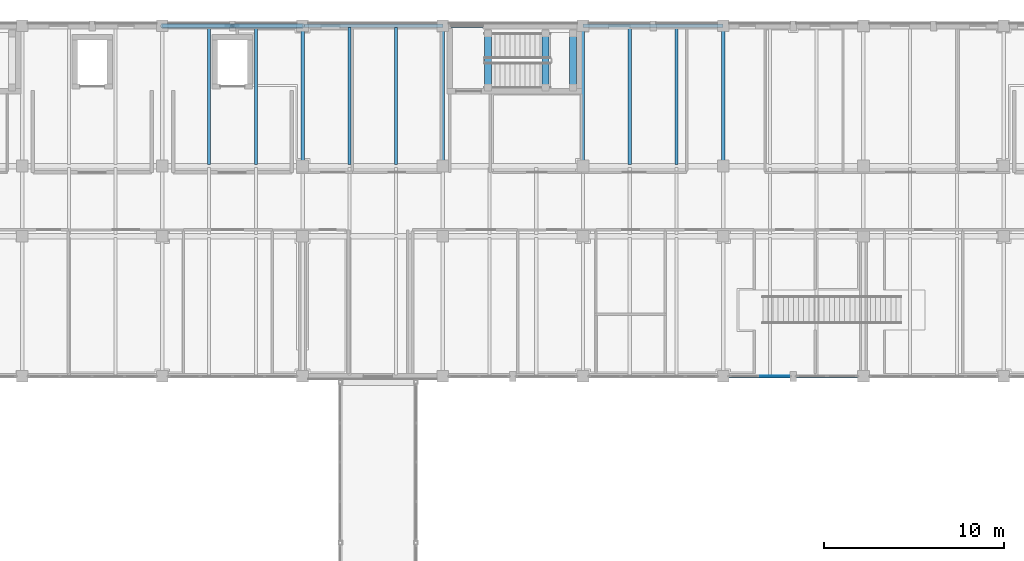
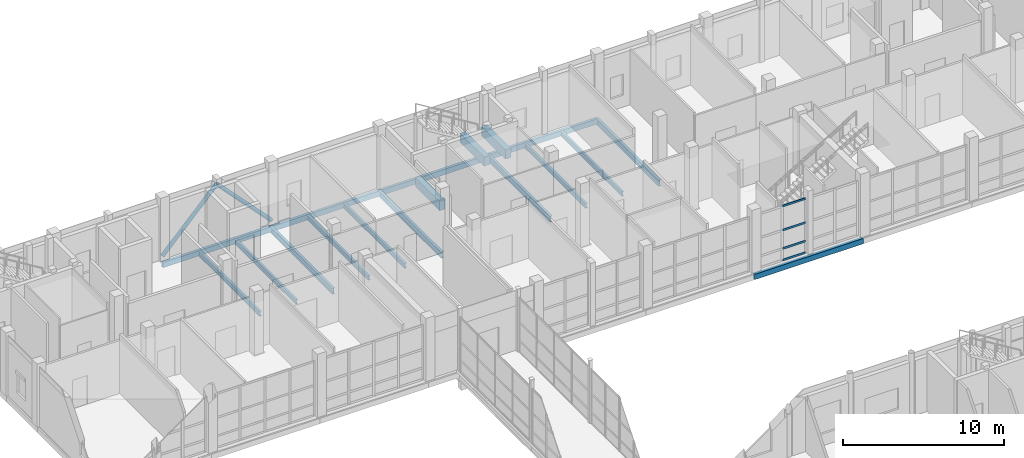
# One storey, part 55 of 131: 18 beams, 6 members, 1 element without a shape of its own.
"""IFC4 building model written with IfcOpenShell, lengths in metres."""

from ifc_helpers import new_model, si_unit, direction, frame, origin, origin_2d, place, context, subcontext, project, spatial, rectangle, hollow_rectangle, hollow_circle, i_section, extrude, material, layer, layer_set, material_profile, profile_set, type_object, element, aggregate, save


model = new_model("IFC4")

# Units and contexts
model_context = context("Model", 3, precision=1e-05, world=origin(), true_north=direction((0.0, 1.0)))
body_context = subcontext(model_context, "Body", "Model", "MODEL_VIEW")
ifc_project = project(units=[si_unit("LENGTHUNIT", "METRE"), si_unit("AREAUNIT", "SQUARE_METRE"), si_unit("VOLUMEUNIT", "CUBIC_METRE"), si_unit("PLANEANGLEUNIT", "RADIAN"), si_unit("MASSUNIT", "GRAM", prefix="KILO")], contexts=[model_context])

# Site, building, storey
site_placement = place(None, origin())
site = spatial("IfcSite", under=ifc_project, at=site_placement, CompositionType="ELEMENT")
building_placement = place(site_placement, origin())
building = spatial("IfcBuilding", under=site, at=building_placement, Name="Celorna Specialist Clinic", CompositionType="ELEMENT")
storey_placement = place(building_placement, origin())
storey = spatial("IfcBuildingStorey", under=building, at=storey_placement, Name="L00", CompositionType="ELEMENT", Elevation=0.0)

# Beams
ifc_material_1 = material(Name="Steel S355", Category="steel")
ifc_material_profile_1 = material_profile(ifc_material_1, i_section(OverallWidth=0.18994140625, OverallDepth=0.449951171875, WebThickness=0.009521484375, FlangeThickness=0.0146484375, at=origin_2d()), Name="IPE 450")
ifc_profile_set_1 = profile_set([ifc_material_profile_1], Name="Steel S355")
beam_type_1 = type_object("IfcBeamType", Name="BM-09", PredefinedType="BEAM", material=ifc_profile_set_1)
for number, where, z_axis, x_axis, name in (
    (1, (70.199951171875, 108.199951171875, -0.52490234375), (0.0, 1.0, 0.0), (-1.0, 0.0, 0.0), "Transverse girder BM-09 #741"),
    (2, (78.0, 108.199951171875, -0.52490234375), (0.0, 1.0, 0.0), (-1.0, 0.0, 0.0), "Transverse girder BM-09 #744"),
    (3, (85.800048828125, 108.199951171875, -0.52490234375), (0.0, 1.0, 0.0), (-1.0, 0.0, 0.0), "Transverse girder BM-09 #747"),
    (4, (93.60009765625, 108.199951171875, -0.52490234375), (0.0, 1.0, 0.0), (-1.0, 0.0, 0.0), "Transverse girder BM-09 #750"),
):
    element("IfcBeam", number, at=place(storey_placement, frame(where, z_axis=z_axis, x_axis=x_axis)), inside=storey, type_object=beam_type_1, Name=name, PredefinedType="BEAM", context=body_context, shape_type="SweptSolid", body=[
        extrude(i_section(OverallWidth=0.18994140625, OverallDepth=0.449951171875, WebThickness=0.009521484375, FlangeThickness=0.0146484375, at=origin_2d()), origin(), (0.0, 0.0, 1.0), 7.800048828125),
    ])
ifc_material_profile_2 = material_profile(ifc_material_1, i_section(OverallWidth=0.169921875, OverallDepth=0.360107421875, WebThickness=0.008056640625, FlangeThickness=0.0126953125, at=origin_2d()), Name="IPE 360")
ifc_profile_set_2 = profile_set([ifc_material_profile_2], Name="Steel S355")
beam_type_2 = type_object("IfcBeamType", Name="BM-11", PredefinedType="JOIST", material=ifc_profile_set_2)
for number, where, z_axis, x_axis, name in (
    (5, (65.0, 108.2880859375, -0.47998046875), (0.0, 1.0, 0.0), (-1.0, 0.0, 0.0), "Secondary floor joist BM-11 #795"),
    (6, (67.60009765625, 108.2880859375, -0.47998046875), (0.0, 1.0, 0.0), (-1.0, 0.0, 0.0), "Secondary floor joist BM-11 #796"),
    (7, (72.800048828125, 108.2880859375, -0.47998046875), (0.0, 1.0, 0.0), (-1.0, 0.0, 0.0), "Secondary floor joist BM-11 #801"),
    (8, (75.39990234375, 108.2880859375, -0.47998046875), (0.0, 1.0, 0.0), (-1.0, 0.0, 0.0), "Secondary floor joist BM-11 #802"),
    (9, (88.39990234375, 108.2880859375, -0.47998046875), (0.0, 1.0, 0.0), (-1.0, 0.0, 0.0), "Secondary floor joist BM-11 #811"),
    (10, (91.0, 108.2880859375, -0.47998046875), (0.0, 1.0, 0.0), (-1.0, 0.0, 0.0), "Secondary floor joist BM-11 #812"),
):
    element("IfcBeam", number, at=place(storey_placement, frame(where, z_axis=z_axis, x_axis=x_axis)), inside=storey, type_object=beam_type_2, Name=name, PredefinedType="JOIST", context=body_context, shape_type="SweptSolid", body=[
        extrude(i_section(OverallWidth=0.169921875, OverallDepth=0.360107421875, WebThickness=0.008056640625, FlangeThickness=0.0126953125, at=origin_2d()), origin(), (0.0, 0.0, 1.0), 7.6240234375),
    ])
ifc_material_profile_3 = material_profile(ifc_material_1, hollow_rectangle(XDim=0.199951171875, YDim=0.39990234375, WallThickness=0.011962890625, at=origin_2d()), Name="RHS 200x400x12")
ifc_profile_set_3 = profile_set([ifc_material_profile_3], Name="Steel S355")
beam_type_3 = type_object("IfcBeamType", Name="BM-15", PredefinedType="SPANDREL", material=ifc_profile_set_3)
beam_placement = place(storey_placement, frame((93.60009765625, 96.5, -0.5), z_axis=(1.0, 0.0, 0.0), x_axis=(0.0, 1.0, 0.0)))
element("IfcBeam", 11, at=beam_placement, inside=storey, type_object=beam_type_3, Name="Spandrel beam BM-15 #672", PredefinedType="SPANDREL", context=body_context, shape_type="SweptSolid", body=[
    extrude(hollow_rectangle(XDim=0.199951171875, YDim=0.39990234375, WallThickness=0.011962890625, at=origin_2d()), origin(), (0.0, 0.0, 1.0), 7.7998046875),
])
for number, where, z_axis, x_axis, name in (
    (12, (62.39990234375, 116.0, -0.5), (1.0, 0.0, 0.0), (0.0, 1.0, 0.0), "Spandrel beam BM-15 #716"),
    (13, (70.199951171875, 116.0, -0.5), (1.0, 0.0, 0.0), (0.0, 1.0, 0.0), "Spandrel beam BM-15 #717"),
    (14, (78.0, 116.0, -0.5), (1.0, 0.0, 0.0), (0.0, 1.0, 0.0), "Spandrel beam BM-15 #718"),
    (15, (85.800048828125, 116.0, -0.5), (1.0, 0.0, 0.0), (0.0, 1.0, 0.0), "Spandrel beam BM-15 #719"),
):
    element("IfcBeam", number, at=place(storey_placement, frame(where, z_axis=z_axis, x_axis=x_axis)), inside=storey, type_object=beam_type_3, Name=name, PredefinedType="SPANDREL", context=body_context, shape_type="SweptSolid", body=[
        extrude(hollow_rectangle(XDim=0.199951171875, YDim=0.39990234375, WallThickness=0.011962890625, at=origin_2d()), origin(), (0.0, 0.0, 1.0), 7.800048828125),
    ])
ifc_material_2 = material(Name="Concrete C35/45", Category="concrete")
ifc_material_profile_4 = material_profile(ifc_material_2, rectangle(XDim=0.39990234375, YDim=0.699951171875, at=origin_2d()), Name="RC 400x700")
ifc_profile_set_4 = profile_set([ifc_material_profile_4], Name="Concrete C35/45")
beam_type_4 = type_object("IfcBeamType", Name="BM-19", PredefinedType="BEAM", material=ifc_profile_set_4)
for number, where, z_axis, x_axis, name in (
    (16, (80.52001953125, 112.570068359375, -0.27490234375), (0.0, 1.0, 0.0), (-1.0, 0.0, 0.0), "Stair ST-02 floor landing trimmer beam L00"),
    (17, (83.719970703125, 112.570068359375, 1.97509765625), (0.0, 1.0, 0.0), (-1.0, 0.0, 0.0), "Stair ST-02 half-landing beam L00"),
    (18, (85.239990234375, 112.570068359375, 1.97509765625), (0.0, 1.0, 0.0), (-1.0, 0.0, 0.0), "Stair ST-02 half-landing beam L00"),
):
    element("IfcBeam", number, at=place(storey_placement, frame(where, z_axis=z_axis, x_axis=x_axis)), inside=storey, type_object=beam_type_4, Name=name, PredefinedType="BEAM", context=body_context, shape_type="SweptSolid", body=[
        extrude(rectangle(XDim=0.39990234375, YDim=0.699951171875, at=origin_2d()), origin(), (0.0, 0.0, 1.0), 3.0),
    ])

# Members
ifc_material_profile_5 = material_profile(ifc_material_1, hollow_circle(Radius=0.136474609375, WallThickness=0.012451171875, at=origin_2d()), Name="CHS 273x12.5")
ifc_profile_set_5 = profile_set([ifc_material_profile_5], Name="Steel S355")
member_type_1 = type_object("IfcMemberType", Name="MB-06", PredefinedType="BRACE", material=ifc_profile_set_5)
for number, where, z_axis, x_axis, name in (
    (19, (62.39990234375, 116.0, 0.14990234375), (0.689218737868, 0.0, 0.724553332317), (0.0, 1.0, 0.0), "Lateral chevron brace WP-113-WP-114"),
    (20, (70.199951171875, 116.0, 0.14990234375), (-0.689196087446, 0.0, 0.724574877462), (0.0, -1.0, 0.0), "Lateral chevron brace WP-115-WP-114"),
):
    element("IfcMember", number, at=place(storey_placement, frame(where, z_axis=z_axis, x_axis=x_axis)), inside=storey, type_object=member_type_1, Name=name, PredefinedType="BRACE", context=body_context, shape_type="SweptSolid", body=[
        extrude(hollow_circle(Radius=0.136474609375, WallThickness=0.012451171875, at=origin_2d()), origin(), (0.0, 0.0, 1.0), 5.65869140625),
    ])

# Curtain wall, members
ifc_material_3 = material(Name="Thermally broken aluminium and solar-control glass curtain wall", Category="aluminium")
ifc_layer = layer(ifc_material_3, 0.159912109375, Name="Thermally broken aluminium and solar-control glass curtain wall")
ifc_layer_set = layer_set([ifc_layer], Name="Thermally broken aluminium and solar-control glass curtain wall")
curtain_wall_type = type_object("IfcCurtainWallType", Name="CW-46", PredefinedType="NOTDEFINED", material=ifc_layer_set)
curtain_wall_placement = place(storey_placement, origin())
curtain_wall = element("IfcCurtainWall", 21, at=curtain_wall_placement, inside=storey, type_object=curtain_wall_type, Name="Curtain wall CW-46 #94", PredefinedType="NOTDEFINED")
ifc_material_4 = material(Name="Anodized aluminium transom", Category="aluminium")
ifc_material_profile_6 = material_profile(ifc_material_4, rectangle(XDim=0.050048828125, YDim=0.14990234375, at=origin_2d()), Name="ALU TRANSOM 50x150")
ifc_profile_set_6 = profile_set([ifc_material_profile_6], Name="Anodized aluminium transom")
member_type_2 = type_object("IfcMemberType", Name="TR-02", PredefinedType="USERDEFINED", material=ifc_profile_set_6)
member_1_placement = place(storey_placement, frame((97.27099609375, 96.5, 0.02490234375), z_axis=(-1.0, 0.0, 0.0), x_axis=(0.0, -1.0, 0.0)))
member_1 = element("IfcMember", 22, at=member_1_placement, type_object=member_type_2, Name="CW-46 transom 1.1", ObjectType="TRANSOM", PredefinedType="USERDEFINED", context=body_context, shape_type="SweptSolid", body=[
    extrude(rectangle(XDim=0.050048828125, YDim=0.14990234375, at=origin_2d()), origin(), (0.0, 0.0, 1.0), 1.62109375),
])
member_2_placement = place(storey_placement, frame((97.27099609375, 96.5, 0.89990234375), z_axis=(-1.0, 0.0, 0.0), x_axis=(0.0, -1.0, 0.0)))
member_2 = element("IfcMember", 23, at=member_2_placement, type_object=member_type_2, Name="CW-46 transom 1.2", ObjectType="TRANSOM", PredefinedType="USERDEFINED", context=body_context, shape_type="SweptSolid", body=[
    extrude(rectangle(XDim=0.050048828125, YDim=0.14990234375, at=origin_2d()), origin(), (0.0, 0.0, 1.0), 1.62109375),
])
member_3_placement = place(storey_placement, frame((97.27099609375, 96.5, 2.300048828125), z_axis=(-1.0, 0.0, 0.0), x_axis=(0.0, -1.0, 0.0)))
member_3 = element("IfcMember", 24, at=member_3_placement, type_object=member_type_2, Name="CW-46 transom 1.3", ObjectType="TRANSOM", PredefinedType="USERDEFINED", context=body_context, shape_type="SweptSolid", body=[
    extrude(rectangle(XDim=0.050048828125, YDim=0.14990234375, at=origin_2d()), origin(), (0.0, 0.0, 1.0), 1.62109375),
])
member_4_placement = place(storey_placement, frame((97.27099609375, 96.5, 4.114990234375), z_axis=(-1.0, 0.0, 0.0), x_axis=(0.0, -1.0, 0.0)))
member_4 = element("IfcMember", 25, at=member_4_placement, type_object=member_type_2, Name="CW-46 transom 1.4", ObjectType="TRANSOM", PredefinedType="USERDEFINED", context=body_context, shape_type="SweptSolid", body=[
    extrude(rectangle(XDim=0.050048828125, YDim=0.14990234375, at=origin_2d()), origin(), (0.0, 0.0, 1.0), 1.62109375),
])
aggregate(curtain_wall, [member_1, member_2, member_3, member_4])

save(model, "model.ifc")
